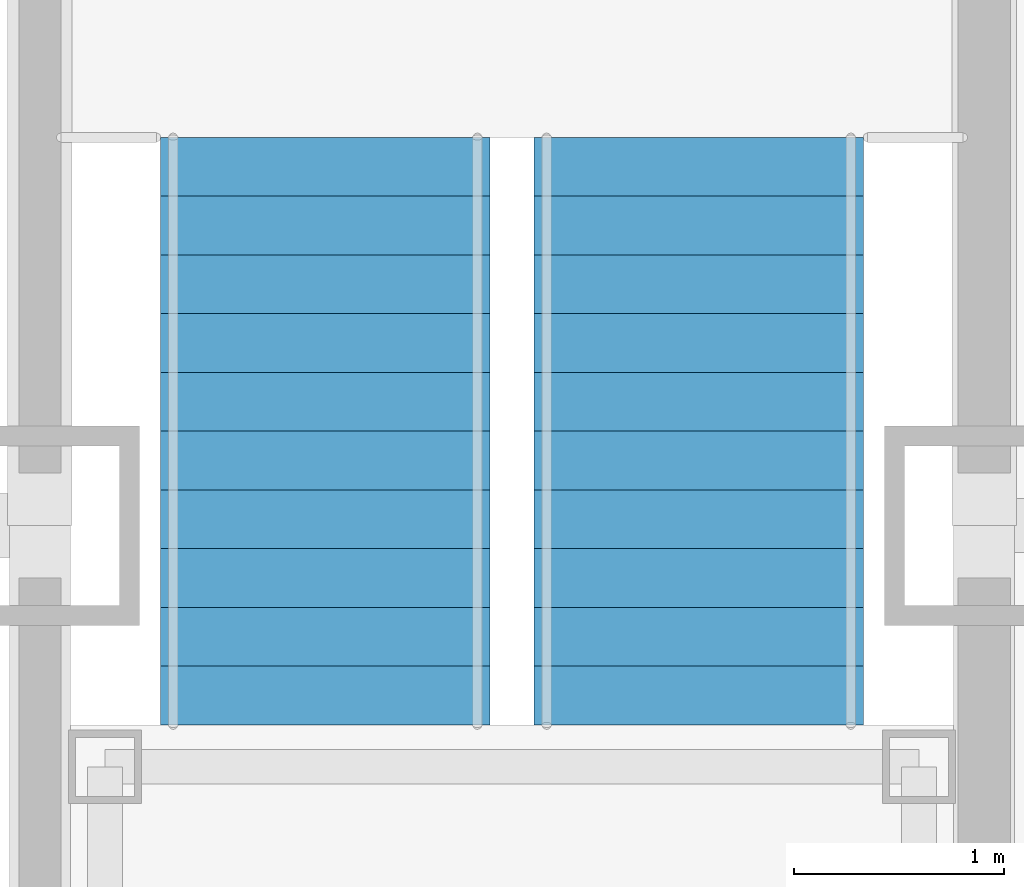
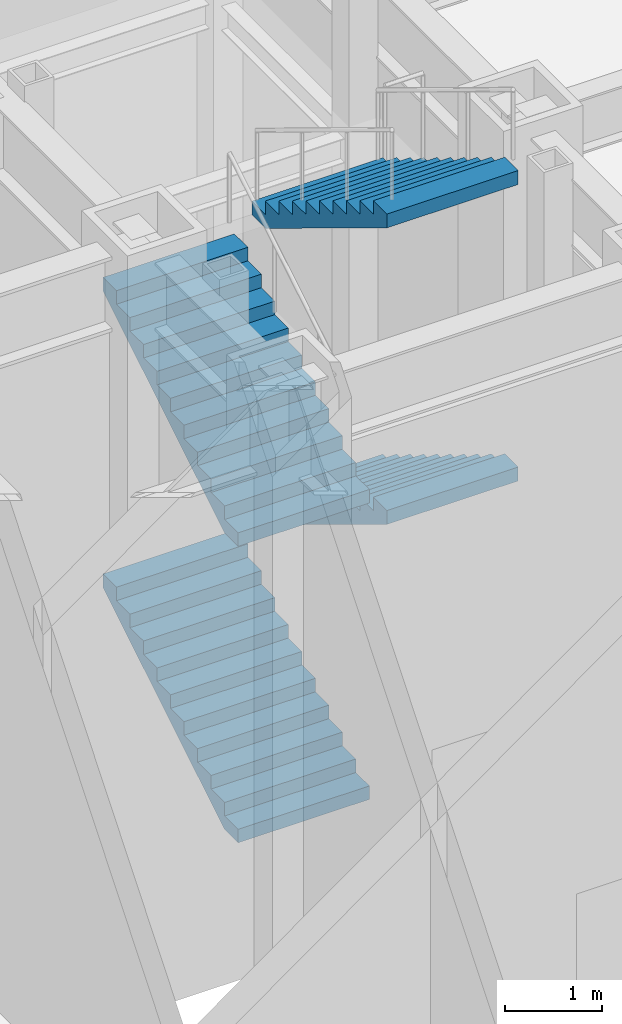
# One storey, part 22 of 34: 4 stair flights, 1 element without a shape of its own.
"""IFC4 building model written with IfcOpenShell, lengths in metres."""

from ifc_helpers import new_model, si_unit, direction, frame, origin, place, context, subcontext, project, spatial, faceted_brep, material, type_object, element, aggregate, save


model = new_model("IFC4")

# Units and contexts
model_context = context("Model", 3, precision=1e-05, world=origin(), true_north=direction((0.0, 1.0)))
body_context = subcontext(model_context, "Body", "Model", "MODEL_VIEW")
ifc_project = project(units=[si_unit("LENGTHUNIT", "METRE"), si_unit("AREAUNIT", "SQUARE_METRE"), si_unit("VOLUMEUNIT", "CUBIC_METRE"), si_unit("PLANEANGLEUNIT", "RADIAN"), si_unit("MASSUNIT", "GRAM", prefix="KILO")], contexts=[model_context])

# Site, building, storey
site_placement = place(None, origin())
site = spatial("IfcSite", under=ifc_project, at=site_placement, CompositionType="ELEMENT")
building_placement = place(site_placement, origin())
building = spatial("IfcBuilding", under=site, at=building_placement, Name="Chuquiago Exchange Tower", CompositionType="ELEMENT")
storey_placement = place(building_placement, frame((0.0, 0.0, 6.0)))
storey = spatial("IfcBuildingStorey", under=building, at=storey_placement, Name="L01", CompositionType="ELEMENT", Elevation=6.0)

# Stair, stair flights
ifc_material_1 = material(Name="Concrete C30/37, precast", Category="concrete")
stair_type = type_object("IfcStairType", Name="ST2 double half-turn stair 7500", PredefinedType="DOUBLE_RETURN_STAIR", material=ifc_material_1)
stair_placement = place(storey_placement, origin())
stair = element("IfcStair", 1, at=stair_placement, inside=storey, type_object=stair_type, Name="Stair ST2 L01", PredefinedType="DOUBLE_RETURN_STAIR")
ifc_material_2 = material(Name="Concrete C30/37, precast", Category="concrete")
stair_flight_type = type_object("IfcStairFlightType", Name="ST-F flight 1570 for 7500 storey", PredefinedType="STRAIGHT", material=ifc_material_2)
stair_flight_1_placement = place(storey_placement, frame((29.860107421875, 23.050048828125, 0.0), z_axis=(0.0, 0.0, 1.0), x_axis=(0.0, 1.0, 0.0)))
stair_flight_1 = element("IfcStairFlight", 2, at=stair_flight_1_placement, type_object=stair_flight_type, Name="ST2 flight 1", NumberOfRisers=11, NumberOfTreads=10, PredefinedType="STRAIGHT", RiserHeight=0.170454545, TreadLength=0.28, context=body_context, shape_type="Brep", body=[
    faceted_brep([(0.0, 0.78515625, 0.0), (0.0, 0.78515625, 0.17041015625), (0.280029296875, 0.78515625, 0.17041015625), (0.280029296875, 0.78515625, 0.3408203125), (0.56005859375, 0.78515625, 0.3408203125), (0.56005859375, 0.78515625, 0.511474609375), (0.840087890625, 0.78515625, 0.511474609375), (0.840087890625, 0.78515625, 0.681884765625), (1.1201171875, 0.78515625, 0.681884765625), (1.1201171875, 0.78515625, 0.852294921875), (1.39990234375, 0.78515625, 0.852294921875), (1.39990234375, 0.78515625, 1.022705078125), (1.679931640625, 0.78515625, 1.022705078125), (1.679931640625, 0.78515625, 1.193115234375), (1.9599609375, 0.78515625, 1.193115234375), (1.9599609375, 0.78515625, 1.363525390625), (2.239990234375, 0.78515625, 1.363525390625), (2.239990234375, 0.78515625, 1.5341796875), (2.52001953125, 0.78515625, 1.5341796875), (2.52001953125, 0.78515625, 1.70458984375), (2.800048828125, 0.78515625, 1.70458984375), (2.800048828125, 0.78515625, 1.529052734375), (0.288330078125, 0.78515625, 0.0), (0.288330078125, -0.78515625, 0.0), (2.800048828125, -0.78515625, 1.529052734375), (2.800048828125, -0.78515625, 1.70458984375), (2.52001953125, -0.78515625, 1.70458984375), (2.52001953125, -0.78515625, 1.5341796875), (2.239990234375, -0.78515625, 1.5341796875), (2.239990234375, -0.78515625, 1.363525390625), (1.9599609375, -0.78515625, 1.363525390625), (1.9599609375, -0.78515625, 1.193115234375), (1.679931640625, -0.78515625, 1.193115234375), (1.679931640625, -0.78515625, 1.022705078125), (1.39990234375, -0.78515625, 1.022705078125), (1.39990234375, -0.78515625, 0.852294921875), (1.1201171875, -0.78515625, 0.852294921875), (1.1201171875, -0.78515625, 0.681884765625), (0.840087890625, -0.78515625, 0.681884765625), (0.840087890625, -0.78515625, 0.511474609375), (0.56005859375, -0.78515625, 0.511474609375), (0.56005859375, -0.78515625, 0.3408203125), (0.280029296875, -0.78515625, 0.3408203125), (0.280029296875, -0.78515625, 0.17041015625), (0.0, -0.78515625, 0.17041015625), (0.0, -0.78515625, 0.0), (0.0, 0.392578125, 0.0), (0.0, 0.392578125, 0.17041015625), (0.0, 0.0, 0.0), (0.0, 0.0, 0.17041015625), (0.0, -0.392578125, 0.0), (0.0, -0.392578125, 0.17041015625), (0.280029296875, 0.392578125, 0.17041015625), (0.280029296875, 0.0, 0.17041015625), (0.280029296875, -0.392578125, 0.17041015625), (0.280029296875, 0.392578125, 0.3408203125), (0.280029296875, 0.0, 0.3408203125), (0.280029296875, -0.392578125, 0.3408203125), (0.56005859375, 0.392578125, 0.3408203125), (0.56005859375, 0.0, 0.3408203125), (0.56005859375, -0.392578125, 0.3408203125), (0.56005859375, 0.392578125, 0.511474609375), (0.56005859375, 0.0, 0.511474609375), (0.56005859375, -0.392578125, 0.511474609375), (0.840087890625, 0.392578125, 0.511474609375), (0.840087890625, 0.0, 0.511474609375), (0.840087890625, -0.392578125, 0.511474609375), (0.840087890625, 0.392578125, 0.681884765625), (0.840087890625, 0.0, 0.681884765625), (0.840087890625, -0.392578125, 0.681884765625), (1.1201171875, 0.392578125, 0.681884765625), (1.1201171875, 0.0, 0.681884765625), (1.1201171875, -0.392578125, 0.681884765625), (1.1201171875, 0.392578125, 0.852294921875), (1.1201171875, 0.0, 0.852294921875), (1.1201171875, -0.392578125, 0.852294921875), (1.39990234375, 0.392578125, 0.852294921875), (1.39990234375, 0.0, 0.852294921875), (1.39990234375, -0.392578125, 0.852294921875), (1.39990234375, 0.392578125, 1.022705078125), (1.39990234375, 0.0, 1.022705078125), (1.39990234375, -0.392578125, 1.022705078125), (1.679931640625, 0.392578125, 1.022705078125), (1.679931640625, 0.0, 1.022705078125), (1.679931640625, -0.392578125, 1.022705078125), (1.679931640625, 0.392578125, 1.193115234375), (1.679931640625, 0.0, 1.193115234375), (1.679931640625, -0.392578125, 1.193115234375), (1.9599609375, 0.392578125, 1.193115234375), (1.9599609375, 0.0, 1.193115234375), (1.9599609375, -0.392578125, 1.193115234375), (1.9599609375, 0.392578125, 1.363525390625), (1.9599609375, 0.0, 1.363525390625), (1.9599609375, -0.392578125, 1.363525390625), (2.239990234375, 0.392578125, 1.363525390625), (2.239990234375, 0.0, 1.363525390625), (2.239990234375, -0.392578125, 1.363525390625), (2.239990234375, 0.392578125, 1.5341796875), (2.239990234375, 0.0, 1.5341796875), (2.239990234375, -0.392578125, 1.5341796875), (2.52001953125, 0.392578125, 1.5341796875), (2.52001953125, 0.0, 1.5341796875), (2.52001953125, -0.392578125, 1.5341796875), (2.52001953125, 0.392578125, 1.70458984375), (2.52001953125, 0.0, 1.70458984375), (2.52001953125, -0.392578125, 1.70458984375), (2.800048828125, 0.392578125, 1.70458984375), (2.800048828125, 0.0, 1.70458984375), (2.800048828125, -0.392578125, 1.70458984375), (2.800048828125, 0.392578125, 1.529052734375), (2.800048828125, 0.0, 1.529052734375), (2.800048828125, -0.392578125, 1.529052734375), (0.288330078125, 0.392578125, 0.0), (0.288330078125, 0.0, 0.0), (0.288330078125, -0.392578125, 0.0)], [[[0, 1, 2, 3, 4, 5, 6, 7, 8, 9, 10, 11, 12, 13, 14, 15, 16, 17, 18, 19, 20, 21, 22]], [[23, 24, 25, 26, 27, 28, 29, 30, 31, 32, 33, 34, 35, 36, 37, 38, 39, 40, 41, 42, 43, 44, 45]], [[1, 0, 46, 47]], [[47, 46, 48, 49]], [[49, 48, 50, 51]], [[51, 50, 45, 44]], [[2, 1, 47, 52]], [[52, 47, 49, 53]], [[53, 49, 51, 54]], [[54, 51, 44, 43]], [[3, 2, 52, 55]], [[55, 52, 53, 56]], [[56, 53, 54, 57]], [[57, 54, 43, 42]], [[4, 3, 55, 58]], [[58, 55, 56, 59]], [[59, 56, 57, 60]], [[60, 57, 42, 41]], [[5, 4, 58, 61]], [[61, 58, 59, 62]], [[62, 59, 60, 63]], [[63, 60, 41, 40]], [[6, 5, 61, 64]], [[64, 61, 62, 65]], [[65, 62, 63, 66]], [[66, 63, 40, 39]], [[7, 6, 64, 67]], [[67, 64, 65, 68]], [[68, 65, 66, 69]], [[69, 66, 39, 38]], [[8, 7, 67, 70]], [[70, 67, 68, 71]], [[71, 68, 69, 72]], [[72, 69, 38, 37]], [[9, 8, 70, 73]], [[73, 70, 71, 74]], [[74, 71, 72, 75]], [[75, 72, 37, 36]], [[10, 9, 73, 76]], [[76, 73, 74, 77]], [[77, 74, 75, 78]], [[78, 75, 36, 35]], [[11, 10, 76, 79]], [[79, 76, 77, 80]], [[80, 77, 78, 81]], [[81, 78, 35, 34]], [[12, 11, 79, 82]], [[82, 79, 80, 83]], [[83, 80, 81, 84]], [[84, 81, 34, 33]], [[13, 12, 82, 85]], [[85, 82, 83, 86]], [[86, 83, 84, 87]], [[87, 84, 33, 32]], [[14, 13, 85, 88]], [[88, 85, 86, 89]], [[89, 86, 87, 90]], [[90, 87, 32, 31]], [[15, 14, 88, 91]], [[91, 88, 89, 92]], [[92, 89, 90, 93]], [[93, 90, 31, 30]], [[16, 15, 91, 94]], [[94, 91, 92, 95]], [[95, 92, 93, 96]], [[96, 93, 30, 29]], [[17, 16, 94, 97]], [[97, 94, 95, 98]], [[98, 95, 96, 99]], [[99, 96, 29, 28]], [[18, 17, 97, 100]], [[100, 97, 98, 101]], [[101, 98, 99, 102]], [[102, 99, 28, 27]], [[19, 18, 100, 103]], [[103, 100, 101, 104]], [[104, 101, 102, 105]], [[105, 102, 27, 26]], [[20, 19, 103, 106]], [[106, 103, 104, 107]], [[107, 104, 105, 108]], [[108, 105, 26, 25]], [[21, 20, 106, 109]], [[109, 106, 107, 110]], [[110, 107, 108, 111]], [[111, 108, 25, 24]], [[22, 21, 109, 112]], [[112, 109, 110, 113]], [[113, 110, 111, 114]], [[114, 111, 24, 23]], [[0, 22, 112, 46]], [[46, 112, 113, 48]], [[48, 113, 114, 50]], [[50, 114, 23, 45]]]),
])
stair_flight_2_placement = place(storey_placement, frame((31.639892578125, 25.85009765625, 1.875), z_axis=(0.0, 0.0, 1.0), x_axis=(0.0, -1.0, 0.0)))
stair_flight_2 = element("IfcStairFlight", 3, at=stair_flight_2_placement, type_object=stair_flight_type, Name="ST2 flight 2", NumberOfRisers=11, NumberOfTreads=10, PredefinedType="STRAIGHT", RiserHeight=0.170454545, TreadLength=0.28, context=body_context, shape_type="Brep", body=[
    faceted_brep([(0.0, 0.78515625, 0.0), (0.0, 0.78515625, 0.17041015625), (0.280029296875, 0.78515625, 0.17041015625), (0.280029296875, 0.78515625, 0.3408203125), (0.56005859375, 0.78515625, 0.3408203125), (0.56005859375, 0.78515625, 0.511474609375), (0.840087890625, 0.78515625, 0.511474609375), (0.840087890625, 0.78515625, 0.681884765625), (1.1201171875, 0.78515625, 0.681884765625), (1.1201171875, 0.78515625, 0.852294921875), (1.39990234375, 0.78515625, 0.852294921875), (1.39990234375, 0.78515625, 1.022705078125), (1.679931640625, 0.78515625, 1.022705078125), (1.679931640625, 0.78515625, 1.193115234375), (1.9599609375, 0.78515625, 1.193115234375), (1.9599609375, 0.78515625, 1.363525390625), (2.239990234375, 0.78515625, 1.363525390625), (2.239990234375, 0.78515625, 1.5341796875), (2.52001953125, 0.78515625, 1.5341796875), (2.52001953125, 0.78515625, 1.70458984375), (2.800048828125, 0.78515625, 1.70458984375), (2.800048828125, 0.78515625, 1.529052734375), (0.288330078125, 0.78515625, 0.0), (0.288330078125, -0.78515625, 0.0), (2.800048828125, -0.78515625, 1.529052734375), (2.800048828125, -0.78515625, 1.70458984375), (2.52001953125, -0.78515625, 1.70458984375), (2.52001953125, -0.78515625, 1.5341796875), (2.239990234375, -0.78515625, 1.5341796875), (2.239990234375, -0.78515625, 1.363525390625), (1.9599609375, -0.78515625, 1.363525390625), (1.9599609375, -0.78515625, 1.193115234375), (1.679931640625, -0.78515625, 1.193115234375), (1.679931640625, -0.78515625, 1.022705078125), (1.39990234375, -0.78515625, 1.022705078125), (1.39990234375, -0.78515625, 0.852294921875), (1.1201171875, -0.78515625, 0.852294921875), (1.1201171875, -0.78515625, 0.681884765625), (0.840087890625, -0.78515625, 0.681884765625), (0.840087890625, -0.78515625, 0.511474609375), (0.56005859375, -0.78515625, 0.511474609375), (0.56005859375, -0.78515625, 0.3408203125), (0.280029296875, -0.78515625, 0.3408203125), (0.280029296875, -0.78515625, 0.17041015625), (0.0, -0.78515625, 0.17041015625), (0.0, -0.78515625, 0.0), (0.0, 0.392578125, 0.0), (0.0, 0.392578125, 0.17041015625), (0.0, 0.0, 0.0), (0.0, 0.0, 0.17041015625), (0.0, -0.392578125, 0.0), (0.0, -0.392578125, 0.17041015625), (0.280029296875, 0.392578125, 0.17041015625), (0.280029296875, 0.0, 0.17041015625), (0.280029296875, -0.392578125, 0.17041015625), (0.280029296875, 0.392578125, 0.3408203125), (0.280029296875, 0.0, 0.3408203125), (0.280029296875, -0.392578125, 0.3408203125), (0.56005859375, 0.392578125, 0.3408203125), (0.56005859375, 0.0, 0.3408203125), (0.56005859375, -0.392578125, 0.3408203125), (0.56005859375, 0.392578125, 0.511474609375), (0.56005859375, 0.0, 0.511474609375), (0.56005859375, -0.392578125, 0.511474609375), (0.840087890625, 0.392578125, 0.511474609375), (0.840087890625, 0.0, 0.511474609375), (0.840087890625, -0.392578125, 0.511474609375), (0.840087890625, 0.392578125, 0.681884765625), (0.840087890625, 0.0, 0.681884765625), (0.840087890625, -0.392578125, 0.681884765625), (1.1201171875, 0.392578125, 0.681884765625), (1.1201171875, 0.0, 0.681884765625), (1.1201171875, -0.392578125, 0.681884765625), (1.1201171875, 0.392578125, 0.852294921875), (1.1201171875, 0.0, 0.852294921875), (1.1201171875, -0.392578125, 0.852294921875), (1.39990234375, 0.392578125, 0.852294921875), (1.39990234375, 0.0, 0.852294921875), (1.39990234375, -0.392578125, 0.852294921875), (1.39990234375, 0.392578125, 1.022705078125), (1.39990234375, 0.0, 1.022705078125), (1.39990234375, -0.392578125, 1.022705078125), (1.679931640625, 0.392578125, 1.022705078125), (1.679931640625, 0.0, 1.022705078125), (1.679931640625, -0.392578125, 1.022705078125), (1.679931640625, 0.392578125, 1.193115234375), (1.679931640625, 0.0, 1.193115234375), (1.679931640625, -0.392578125, 1.193115234375), (1.9599609375, 0.392578125, 1.193115234375), (1.9599609375, 0.0, 1.193115234375), (1.9599609375, -0.392578125, 1.193115234375), (1.9599609375, 0.392578125, 1.363525390625), (1.9599609375, 0.0, 1.363525390625), (1.9599609375, -0.392578125, 1.363525390625), (2.239990234375, 0.392578125, 1.363525390625), (2.239990234375, 0.0, 1.363525390625), (2.239990234375, -0.392578125, 1.363525390625), (2.239990234375, 0.392578125, 1.5341796875), (2.239990234375, 0.0, 1.5341796875), (2.239990234375, -0.392578125, 1.5341796875), (2.52001953125, 0.392578125, 1.5341796875), (2.52001953125, 0.0, 1.5341796875), (2.52001953125, -0.392578125, 1.5341796875), (2.52001953125, 0.392578125, 1.70458984375), (2.52001953125, 0.0, 1.70458984375), (2.52001953125, -0.392578125, 1.70458984375), (2.800048828125, 0.392578125, 1.70458984375), (2.800048828125, 0.0, 1.70458984375), (2.800048828125, -0.392578125, 1.70458984375), (2.800048828125, 0.392578125, 1.529052734375), (2.800048828125, 0.0, 1.529052734375), (2.800048828125, -0.392578125, 1.529052734375), (0.288330078125, 0.392578125, 0.0), (0.288330078125, 0.0, 0.0), (0.288330078125, -0.392578125, 0.0)], [[[0, 1, 2, 3, 4, 5, 6, 7, 8, 9, 10, 11, 12, 13, 14, 15, 16, 17, 18, 19, 20, 21, 22]], [[23, 24, 25, 26, 27, 28, 29, 30, 31, 32, 33, 34, 35, 36, 37, 38, 39, 40, 41, 42, 43, 44, 45]], [[1, 0, 46, 47]], [[47, 46, 48, 49]], [[49, 48, 50, 51]], [[51, 50, 45, 44]], [[2, 1, 47, 52]], [[52, 47, 49, 53]], [[53, 49, 51, 54]], [[54, 51, 44, 43]], [[3, 2, 52, 55]], [[55, 52, 53, 56]], [[56, 53, 54, 57]], [[57, 54, 43, 42]], [[4, 3, 55, 58]], [[58, 55, 56, 59]], [[59, 56, 57, 60]], [[60, 57, 42, 41]], [[5, 4, 58, 61]], [[61, 58, 59, 62]], [[62, 59, 60, 63]], [[63, 60, 41, 40]], [[6, 5, 61, 64]], [[64, 61, 62, 65]], [[65, 62, 63, 66]], [[66, 63, 40, 39]], [[7, 6, 64, 67]], [[67, 64, 65, 68]], [[68, 65, 66, 69]], [[69, 66, 39, 38]], [[8, 7, 67, 70]], [[70, 67, 68, 71]], [[71, 68, 69, 72]], [[72, 69, 38, 37]], [[9, 8, 70, 73]], [[73, 70, 71, 74]], [[74, 71, 72, 75]], [[75, 72, 37, 36]], [[10, 9, 73, 76]], [[76, 73, 74, 77]], [[77, 74, 75, 78]], [[78, 75, 36, 35]], [[11, 10, 76, 79]], [[79, 76, 77, 80]], [[80, 77, 78, 81]], [[81, 78, 35, 34]], [[12, 11, 79, 82]], [[82, 79, 80, 83]], [[83, 80, 81, 84]], [[84, 81, 34, 33]], [[13, 12, 82, 85]], [[85, 82, 83, 86]], [[86, 83, 84, 87]], [[87, 84, 33, 32]], [[14, 13, 85, 88]], [[88, 85, 86, 89]], [[89, 86, 87, 90]], [[90, 87, 32, 31]], [[15, 14, 88, 91]], [[91, 88, 89, 92]], [[92, 89, 90, 93]], [[93, 90, 31, 30]], [[16, 15, 91, 94]], [[94, 91, 92, 95]], [[95, 92, 93, 96]], [[96, 93, 30, 29]], [[17, 16, 94, 97]], [[97, 94, 95, 98]], [[98, 95, 96, 99]], [[99, 96, 29, 28]], [[18, 17, 97, 100]], [[100, 97, 98, 101]], [[101, 98, 99, 102]], [[102, 99, 28, 27]], [[19, 18, 100, 103]], [[103, 100, 101, 104]], [[104, 101, 102, 105]], [[105, 102, 27, 26]], [[20, 19, 103, 106]], [[106, 103, 104, 107]], [[107, 104, 105, 108]], [[108, 105, 26, 25]], [[21, 20, 106, 109]], [[109, 106, 107, 110]], [[110, 107, 108, 111]], [[111, 108, 25, 24]], [[22, 21, 109, 112]], [[112, 109, 110, 113]], [[113, 110, 111, 114]], [[114, 111, 24, 23]], [[0, 22, 112, 46]], [[46, 112, 113, 48]], [[48, 113, 114, 50]], [[50, 114, 23, 45]]]),
])
stair_flight_3_placement = place(storey_placement, frame((29.860107421875, 23.050048828125, 3.75), z_axis=(0.0, 0.0, 1.0), x_axis=(0.0, 1.0, 0.0)))
stair_flight_3 = element("IfcStairFlight", 4, at=stair_flight_3_placement, type_object=stair_flight_type, Name="ST2 flight 3", NumberOfRisers=11, NumberOfTreads=10, PredefinedType="STRAIGHT", RiserHeight=0.170454545, TreadLength=0.28, context=body_context, shape_type="Brep", body=[
    faceted_brep([(0.0, 0.78515625, 0.0), (0.0, 0.78515625, 0.17041015625), (0.280029296875, 0.78515625, 0.17041015625), (0.280029296875, 0.78515625, 0.3408203125), (0.56005859375, 0.78515625, 0.3408203125), (0.56005859375, 0.78515625, 0.511474609375), (0.840087890625, 0.78515625, 0.511474609375), (0.840087890625, 0.78515625, 0.681884765625), (1.1201171875, 0.78515625, 0.681884765625), (1.1201171875, 0.78515625, 0.852294921875), (1.39990234375, 0.78515625, 0.852294921875), (1.39990234375, 0.78515625, 1.022705078125), (1.679931640625, 0.78515625, 1.022705078125), (1.679931640625, 0.78515625, 1.193115234375), (1.9599609375, 0.78515625, 1.193115234375), (1.9599609375, 0.78515625, 1.363525390625), (2.239990234375, 0.78515625, 1.363525390625), (2.239990234375, 0.78515625, 1.5341796875), (2.52001953125, 0.78515625, 1.5341796875), (2.52001953125, 0.78515625, 1.70458984375), (2.800048828125, 0.78515625, 1.70458984375), (2.800048828125, 0.78515625, 1.529052734375), (0.288330078125, 0.78515625, 0.0), (0.288330078125, -0.78515625, 0.0), (2.800048828125, -0.78515625, 1.529052734375), (2.800048828125, -0.78515625, 1.70458984375), (2.52001953125, -0.78515625, 1.70458984375), (2.52001953125, -0.78515625, 1.5341796875), (2.239990234375, -0.78515625, 1.5341796875), (2.239990234375, -0.78515625, 1.363525390625), (1.9599609375, -0.78515625, 1.363525390625), (1.9599609375, -0.78515625, 1.193115234375), (1.679931640625, -0.78515625, 1.193115234375), (1.679931640625, -0.78515625, 1.022705078125), (1.39990234375, -0.78515625, 1.022705078125), (1.39990234375, -0.78515625, 0.852294921875), (1.1201171875, -0.78515625, 0.852294921875), (1.1201171875, -0.78515625, 0.681884765625), (0.840087890625, -0.78515625, 0.681884765625), (0.840087890625, -0.78515625, 0.511474609375), (0.56005859375, -0.78515625, 0.511474609375), (0.56005859375, -0.78515625, 0.3408203125), (0.280029296875, -0.78515625, 0.3408203125), (0.280029296875, -0.78515625, 0.17041015625), (0.0, -0.78515625, 0.17041015625), (0.0, -0.78515625, 0.0), (0.0, 0.392578125, 0.0), (0.0, 0.392578125, 0.17041015625), (0.0, 0.0, 0.0), (0.0, 0.0, 0.17041015625), (0.0, -0.392578125, 0.0), (0.0, -0.392578125, 0.17041015625), (0.280029296875, 0.392578125, 0.17041015625), (0.280029296875, 0.0, 0.17041015625), (0.280029296875, -0.392578125, 0.17041015625), (0.280029296875, 0.392578125, 0.3408203125), (0.280029296875, 0.0, 0.3408203125), (0.280029296875, -0.392578125, 0.3408203125), (0.56005859375, 0.392578125, 0.3408203125), (0.56005859375, 0.0, 0.3408203125), (0.56005859375, -0.392578125, 0.3408203125), (0.56005859375, 0.392578125, 0.511474609375), (0.56005859375, 0.0, 0.511474609375), (0.56005859375, -0.392578125, 0.511474609375), (0.840087890625, 0.392578125, 0.511474609375), (0.840087890625, 0.0, 0.511474609375), (0.840087890625, -0.392578125, 0.511474609375), (0.840087890625, 0.392578125, 0.681884765625), (0.840087890625, 0.0, 0.681884765625), (0.840087890625, -0.392578125, 0.681884765625), (1.1201171875, 0.392578125, 0.681884765625), (1.1201171875, 0.0, 0.681884765625), (1.1201171875, -0.392578125, 0.681884765625), (1.1201171875, 0.392578125, 0.852294921875), (1.1201171875, 0.0, 0.852294921875), (1.1201171875, -0.392578125, 0.852294921875), (1.39990234375, 0.392578125, 0.852294921875), (1.39990234375, 0.0, 0.852294921875), (1.39990234375, -0.392578125, 0.852294921875), (1.39990234375, 0.392578125, 1.022705078125), (1.39990234375, 0.0, 1.022705078125), (1.39990234375, -0.392578125, 1.022705078125), (1.679931640625, 0.392578125, 1.022705078125), (1.679931640625, 0.0, 1.022705078125), (1.679931640625, -0.392578125, 1.022705078125), (1.679931640625, 0.392578125, 1.193115234375), (1.679931640625, 0.0, 1.193115234375), (1.679931640625, -0.392578125, 1.193115234375), (1.9599609375, 0.392578125, 1.193115234375), (1.9599609375, 0.0, 1.193115234375), (1.9599609375, -0.392578125, 1.193115234375), (1.9599609375, 0.392578125, 1.363525390625), (1.9599609375, 0.0, 1.363525390625), (1.9599609375, -0.392578125, 1.363525390625), (2.239990234375, 0.392578125, 1.363525390625), (2.239990234375, 0.0, 1.363525390625), (2.239990234375, -0.392578125, 1.363525390625), (2.239990234375, 0.392578125, 1.5341796875), (2.239990234375, 0.0, 1.5341796875), (2.239990234375, -0.392578125, 1.5341796875), (2.52001953125, 0.392578125, 1.5341796875), (2.52001953125, 0.0, 1.5341796875), (2.52001953125, -0.392578125, 1.5341796875), (2.52001953125, 0.392578125, 1.70458984375), (2.52001953125, 0.0, 1.70458984375), (2.52001953125, -0.392578125, 1.70458984375), (2.800048828125, 0.392578125, 1.70458984375), (2.800048828125, 0.0, 1.70458984375), (2.800048828125, -0.392578125, 1.70458984375), (2.800048828125, 0.392578125, 1.529052734375), (2.800048828125, 0.0, 1.529052734375), (2.800048828125, -0.392578125, 1.529052734375), (0.288330078125, 0.392578125, 0.0), (0.288330078125, 0.0, 0.0), (0.288330078125, -0.392578125, 0.0)], [[[0, 1, 2, 3, 4, 5, 6, 7, 8, 9, 10, 11, 12, 13, 14, 15, 16, 17, 18, 19, 20, 21, 22]], [[23, 24, 25, 26, 27, 28, 29, 30, 31, 32, 33, 34, 35, 36, 37, 38, 39, 40, 41, 42, 43, 44, 45]], [[1, 0, 46, 47]], [[47, 46, 48, 49]], [[49, 48, 50, 51]], [[51, 50, 45, 44]], [[2, 1, 47, 52]], [[52, 47, 49, 53]], [[53, 49, 51, 54]], [[54, 51, 44, 43]], [[3, 2, 52, 55]], [[55, 52, 53, 56]], [[56, 53, 54, 57]], [[57, 54, 43, 42]], [[4, 3, 55, 58]], [[58, 55, 56, 59]], [[59, 56, 57, 60]], [[60, 57, 42, 41]], [[5, 4, 58, 61]], [[61, 58, 59, 62]], [[62, 59, 60, 63]], [[63, 60, 41, 40]], [[6, 5, 61, 64]], [[64, 61, 62, 65]], [[65, 62, 63, 66]], [[66, 63, 40, 39]], [[7, 6, 64, 67]], [[67, 64, 65, 68]], [[68, 65, 66, 69]], [[69, 66, 39, 38]], [[8, 7, 67, 70]], [[70, 67, 68, 71]], [[71, 68, 69, 72]], [[72, 69, 38, 37]], [[9, 8, 70, 73]], [[73, 70, 71, 74]], [[74, 71, 72, 75]], [[75, 72, 37, 36]], [[10, 9, 73, 76]], [[76, 73, 74, 77]], [[77, 74, 75, 78]], [[78, 75, 36, 35]], [[11, 10, 76, 79]], [[79, 76, 77, 80]], [[80, 77, 78, 81]], [[81, 78, 35, 34]], [[12, 11, 79, 82]], [[82, 79, 80, 83]], [[83, 80, 81, 84]], [[84, 81, 34, 33]], [[13, 12, 82, 85]], [[85, 82, 83, 86]], [[86, 83, 84, 87]], [[87, 84, 33, 32]], [[14, 13, 85, 88]], [[88, 85, 86, 89]], [[89, 86, 87, 90]], [[90, 87, 32, 31]], [[15, 14, 88, 91]], [[91, 88, 89, 92]], [[92, 89, 90, 93]], [[93, 90, 31, 30]], [[16, 15, 91, 94]], [[94, 91, 92, 95]], [[95, 92, 93, 96]], [[96, 93, 30, 29]], [[17, 16, 94, 97]], [[97, 94, 95, 98]], [[98, 95, 96, 99]], [[99, 96, 29, 28]], [[18, 17, 97, 100]], [[100, 97, 98, 101]], [[101, 98, 99, 102]], [[102, 99, 28, 27]], [[19, 18, 100, 103]], [[103, 100, 101, 104]], [[104, 101, 102, 105]], [[105, 102, 27, 26]], [[20, 19, 103, 106]], [[106, 103, 104, 107]], [[107, 104, 105, 108]], [[108, 105, 26, 25]], [[21, 20, 106, 109]], [[109, 106, 107, 110]], [[110, 107, 108, 111]], [[111, 108, 25, 24]], [[22, 21, 109, 112]], [[112, 109, 110, 113]], [[113, 110, 111, 114]], [[114, 111, 24, 23]], [[0, 22, 112, 46]], [[46, 112, 113, 48]], [[48, 113, 114, 50]], [[50, 114, 23, 45]]]),
])
stair_flight_4_placement = place(storey_placement, frame((31.639892578125, 25.85009765625, 5.625), z_axis=(0.0, 0.0, 1.0), x_axis=(0.0, -1.0, 0.0)))
stair_flight_4 = element("IfcStairFlight", 5, at=stair_flight_4_placement, type_object=stair_flight_type, Name="ST2 flight 4", NumberOfRisers=11, NumberOfTreads=10, PredefinedType="STRAIGHT", RiserHeight=0.170454545, TreadLength=0.28, context=body_context, shape_type="Brep", body=[
    faceted_brep([(0.0, 0.78515625, 0.0), (0.0, 0.78515625, 0.17041015625), (0.280029296875, 0.78515625, 0.17041015625), (0.280029296875, 0.78515625, 0.3408203125), (0.56005859375, 0.78515625, 0.3408203125), (0.56005859375, 0.78515625, 0.511474609375), (0.840087890625, 0.78515625, 0.511474609375), (0.840087890625, 0.78515625, 0.681884765625), (1.1201171875, 0.78515625, 0.681884765625), (1.1201171875, 0.78515625, 0.852294921875), (1.39990234375, 0.78515625, 0.852294921875), (1.39990234375, 0.78515625, 1.022705078125), (1.679931640625, 0.78515625, 1.022705078125), (1.679931640625, 0.78515625, 1.193115234375), (1.9599609375, 0.78515625, 1.193115234375), (1.9599609375, 0.78515625, 1.363525390625), (2.239990234375, 0.78515625, 1.363525390625), (2.239990234375, 0.78515625, 1.5341796875), (2.52001953125, 0.78515625, 1.5341796875), (2.52001953125, 0.78515625, 1.70458984375), (2.800048828125, 0.78515625, 1.70458984375), (2.800048828125, 0.78515625, 1.529052734375), (0.288330078125, 0.78515625, 0.0), (0.288330078125, -0.78515625, 0.0), (2.800048828125, -0.78515625, 1.529052734375), (2.800048828125, -0.78515625, 1.70458984375), (2.52001953125, -0.78515625, 1.70458984375), (2.52001953125, -0.78515625, 1.5341796875), (2.239990234375, -0.78515625, 1.5341796875), (2.239990234375, -0.78515625, 1.363525390625), (1.9599609375, -0.78515625, 1.363525390625), (1.9599609375, -0.78515625, 1.193115234375), (1.679931640625, -0.78515625, 1.193115234375), (1.679931640625, -0.78515625, 1.022705078125), (1.39990234375, -0.78515625, 1.022705078125), (1.39990234375, -0.78515625, 0.852294921875), (1.1201171875, -0.78515625, 0.852294921875), (1.1201171875, -0.78515625, 0.681884765625), (0.840087890625, -0.78515625, 0.681884765625), (0.840087890625, -0.78515625, 0.511474609375), (0.56005859375, -0.78515625, 0.511474609375), (0.56005859375, -0.78515625, 0.3408203125), (0.280029296875, -0.78515625, 0.3408203125), (0.280029296875, -0.78515625, 0.17041015625), (0.0, -0.78515625, 0.17041015625), (0.0, -0.78515625, 0.0), (0.0, 0.392578125, 0.0), (0.0, 0.392578125, 0.17041015625), (0.0, 0.0, 0.0), (0.0, 0.0, 0.17041015625), (0.0, -0.392578125, 0.0), (0.0, -0.392578125, 0.17041015625), (0.280029296875, 0.392578125, 0.17041015625), (0.280029296875, 0.0, 0.17041015625), (0.280029296875, -0.392578125, 0.17041015625), (0.280029296875, 0.392578125, 0.3408203125), (0.280029296875, 0.0, 0.3408203125), (0.280029296875, -0.392578125, 0.3408203125), (0.56005859375, 0.392578125, 0.3408203125), (0.56005859375, 0.0, 0.3408203125), (0.56005859375, -0.392578125, 0.3408203125), (0.56005859375, 0.392578125, 0.511474609375), (0.56005859375, 0.0, 0.511474609375), (0.56005859375, -0.392578125, 0.511474609375), (0.840087890625, 0.392578125, 0.511474609375), (0.840087890625, 0.0, 0.511474609375), (0.840087890625, -0.392578125, 0.511474609375), (0.840087890625, 0.392578125, 0.681884765625), (0.840087890625, 0.0, 0.681884765625), (0.840087890625, -0.392578125, 0.681884765625), (1.1201171875, 0.392578125, 0.681884765625), (1.1201171875, 0.0, 0.681884765625), (1.1201171875, -0.392578125, 0.681884765625), (1.1201171875, 0.392578125, 0.852294921875), (1.1201171875, 0.0, 0.852294921875), (1.1201171875, -0.392578125, 0.852294921875), (1.39990234375, 0.392578125, 0.852294921875), (1.39990234375, 0.0, 0.852294921875), (1.39990234375, -0.392578125, 0.852294921875), (1.39990234375, 0.392578125, 1.022705078125), (1.39990234375, 0.0, 1.022705078125), (1.39990234375, -0.392578125, 1.022705078125), (1.679931640625, 0.392578125, 1.022705078125), (1.679931640625, 0.0, 1.022705078125), (1.679931640625, -0.392578125, 1.022705078125), (1.679931640625, 0.392578125, 1.193115234375), (1.679931640625, 0.0, 1.193115234375), (1.679931640625, -0.392578125, 1.193115234375), (1.9599609375, 0.392578125, 1.193115234375), (1.9599609375, 0.0, 1.193115234375), (1.9599609375, -0.392578125, 1.193115234375), (1.9599609375, 0.392578125, 1.363525390625), (1.9599609375, 0.0, 1.363525390625), (1.9599609375, -0.392578125, 1.363525390625), (2.239990234375, 0.392578125, 1.363525390625), (2.239990234375, 0.0, 1.363525390625), (2.239990234375, -0.392578125, 1.363525390625), (2.239990234375, 0.392578125, 1.5341796875), (2.239990234375, 0.0, 1.5341796875), (2.239990234375, -0.392578125, 1.5341796875), (2.52001953125, 0.392578125, 1.5341796875), (2.52001953125, 0.0, 1.5341796875), (2.52001953125, -0.392578125, 1.5341796875), (2.52001953125, 0.392578125, 1.70458984375), (2.52001953125, 0.0, 1.70458984375), (2.52001953125, -0.392578125, 1.70458984375), (2.800048828125, 0.392578125, 1.70458984375), (2.800048828125, 0.0, 1.70458984375), (2.800048828125, -0.392578125, 1.70458984375), (2.800048828125, 0.392578125, 1.529052734375), (2.800048828125, 0.0, 1.529052734375), (2.800048828125, -0.392578125, 1.529052734375), (0.288330078125, 0.392578125, 0.0), (0.288330078125, 0.0, 0.0), (0.288330078125, -0.392578125, 0.0)], [[[0, 1, 2, 3, 4, 5, 6, 7, 8, 9, 10, 11, 12, 13, 14, 15, 16, 17, 18, 19, 20, 21, 22]], [[23, 24, 25, 26, 27, 28, 29, 30, 31, 32, 33, 34, 35, 36, 37, 38, 39, 40, 41, 42, 43, 44, 45]], [[1, 0, 46, 47]], [[47, 46, 48, 49]], [[49, 48, 50, 51]], [[51, 50, 45, 44]], [[2, 1, 47, 52]], [[52, 47, 49, 53]], [[53, 49, 51, 54]], [[54, 51, 44, 43]], [[3, 2, 52, 55]], [[55, 52, 53, 56]], [[56, 53, 54, 57]], [[57, 54, 43, 42]], [[4, 3, 55, 58]], [[58, 55, 56, 59]], [[59, 56, 57, 60]], [[60, 57, 42, 41]], [[5, 4, 58, 61]], [[61, 58, 59, 62]], [[62, 59, 60, 63]], [[63, 60, 41, 40]], [[6, 5, 61, 64]], [[64, 61, 62, 65]], [[65, 62, 63, 66]], [[66, 63, 40, 39]], [[7, 6, 64, 67]], [[67, 64, 65, 68]], [[68, 65, 66, 69]], [[69, 66, 39, 38]], [[8, 7, 67, 70]], [[70, 67, 68, 71]], [[71, 68, 69, 72]], [[72, 69, 38, 37]], [[9, 8, 70, 73]], [[73, 70, 71, 74]], [[74, 71, 72, 75]], [[75, 72, 37, 36]], [[10, 9, 73, 76]], [[76, 73, 74, 77]], [[77, 74, 75, 78]], [[78, 75, 36, 35]], [[11, 10, 76, 79]], [[79, 76, 77, 80]], [[80, 77, 78, 81]], [[81, 78, 35, 34]], [[12, 11, 79, 82]], [[82, 79, 80, 83]], [[83, 80, 81, 84]], [[84, 81, 34, 33]], [[13, 12, 82, 85]], [[85, 82, 83, 86]], [[86, 83, 84, 87]], [[87, 84, 33, 32]], [[14, 13, 85, 88]], [[88, 85, 86, 89]], [[89, 86, 87, 90]], [[90, 87, 32, 31]], [[15, 14, 88, 91]], [[91, 88, 89, 92]], [[92, 89, 90, 93]], [[93, 90, 31, 30]], [[16, 15, 91, 94]], [[94, 91, 92, 95]], [[95, 92, 93, 96]], [[96, 93, 30, 29]], [[17, 16, 94, 97]], [[97, 94, 95, 98]], [[98, 95, 96, 99]], [[99, 96, 29, 28]], [[18, 17, 97, 100]], [[100, 97, 98, 101]], [[101, 98, 99, 102]], [[102, 99, 28, 27]], [[19, 18, 100, 103]], [[103, 100, 101, 104]], [[104, 101, 102, 105]], [[105, 102, 27, 26]], [[20, 19, 103, 106]], [[106, 103, 104, 107]], [[107, 104, 105, 108]], [[108, 105, 26, 25]], [[21, 20, 106, 109]], [[109, 106, 107, 110]], [[110, 107, 108, 111]], [[111, 108, 25, 24]], [[22, 21, 109, 112]], [[112, 109, 110, 113]], [[113, 110, 111, 114]], [[114, 111, 24, 23]], [[0, 22, 112, 46]], [[46, 112, 113, 48]], [[48, 113, 114, 50]], [[50, 114, 23, 45]]]),
])
aggregate(stair, [stair_flight_1, stair_flight_2, stair_flight_3, stair_flight_4])

save(model, "model.ifc")
